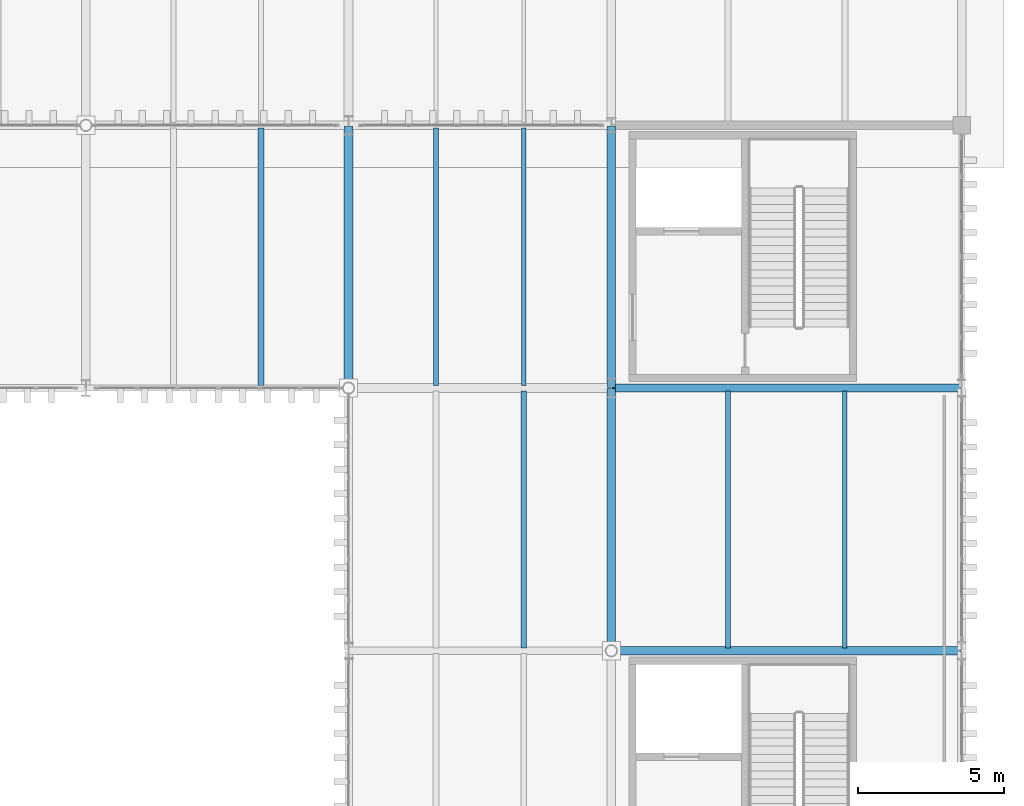
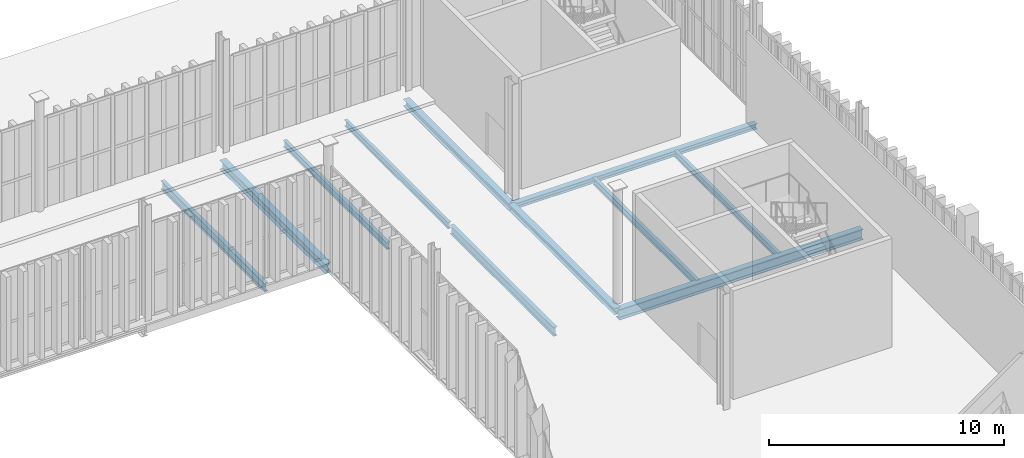
# One storey, part 149 of 237: 11 beams.
"""IFC4 building model written with IfcOpenShell, lengths in metres."""

import ifcopenshell
import ifcopenshell.guid

model = None  # the IFC model being written
_history = None  # IfcOwnerHistory: only IFC2X3 demands one
_inside = {}  # id of a spatial element -> (the spatial element, [elements in it])
_under = {}  # id of a project, library or spatial element -> (it, [spatial elements below it])
_declared = {}  # id of a project -> (the project, [libraries it declares])
_typed = {}  # id of a type object -> (the type object, [elements of that type])
_made_of = {}  # id of a material, layer set ... -> (it, [elements and type objects made of it])


def new_model(schema):
    """Start an empty IFC model of exactly this schema.

    Asked for "IFC4X3", IfcOpenShell would pick the latest addendum, in which some entities
    have other attributes; the version numbers below select the first issue.
    IFC2X3 requires an IfcOwnerHistory on every rooted entity: one is made here for all.
    """
    global model, _history
    if schema == "IFC4X3":
        model = ifcopenshell.file(schema_version=(4, 3, 0, 0))
    else:
        model = ifcopenshell.file(schema=schema)
    _inside.clear()
    _under.clear()
    _declared.clear()
    _typed.clear()
    _made_of.clear()
    _history = None
    if model.schema == "IFC2X3":
        org = make("IfcOrganization", Name="unknown")
        user = make(
            "IfcPersonAndOrganization",
            ThePerson=make("IfcPerson", FamilyName="unknown"),
            TheOrganization=org,
        )
        app = make(
            "IfcApplication",
            ApplicationDeveloper=org,
            Version="unknown",
            ApplicationFullName="unknown",
            ApplicationIdentifier="unknown",
        )
        _history = make(
            "IfcOwnerHistory",
            OwningUser=user,
            OwningApplication=app,
            ChangeAction="ADDED",
            CreationDate=0,
        )
    return model


def make(cls, **values):
    """One entity of the class cls with the attributes given. An attribute that is None is left unset."""
    return model.create_entity(
        cls, **{name: value for name, value in values.items() if value is not None}
    )


def rooted(cls, **values):
    """An entity with a GlobalId (a new one), such as an element, a storey or a relation."""
    return make(cls, GlobalId=ifcopenshell.guid.new(), OwnerHistory=_history, **values)


def si_unit(unit_type, name, prefix=None):
    """IfcSIUnit, for example si_unit("LENGTHUNIT", "METRE", prefix="MILLI")."""
    return make("IfcSIUnit", UnitType=unit_type, Prefix=prefix, Name=name)


def assignment(units):
    """IfcUnitAssignment: the units of a project."""
    return None if units is None else make("IfcUnitAssignment", Units=units)


def point(xyz):
    """IfcCartesianPoint."""
    return None if xyz is None else make("IfcCartesianPoint", Coordinates=xyz)


def direction(xyz):
    """IfcDirection."""
    return None if xyz is None else make("IfcDirection", DirectionRatios=xyz)


def frame(location, z_axis=None, x_axis=None):
    """IfcAxis2Placement3D, a coordinate frame: its origin and axes. An axis left out is left unset."""
    return make(
        "IfcAxis2Placement3D",
        Location=point(location),
        Axis=direction(z_axis),
        RefDirection=direction(x_axis),
    )


def frame_2d(location, x_axis=None):
    """IfcAxis2Placement2D, a coordinate frame in the plane: its origin and x axis."""
    return make(
        "IfcAxis2Placement2D", Location=point(location), RefDirection=direction(x_axis)
    )


def origin():
    """The frame at (0, 0, 0) with its axes left unset."""
    return frame((0.0, 0.0, 0.0))


def origin_2d():
    """The frame at (0, 0) in the plane with its x axis left unset."""
    return frame_2d((0.0, 0.0))


def place(relative_to, where):
    """IfcLocalPlacement: puts the frame where relative to a parent placement (None: the world)."""
    return make(
        "IfcLocalPlacement", PlacementRelTo=relative_to, RelativePlacement=where
    )


def context(
    kind, dimensions, precision=None, world=None, true_north=None, identifier=None
):
    """IfcGeometricRepresentationContext, for example the 3D "Model" context."""
    return make(
        "IfcGeometricRepresentationContext",
        ContextIdentifier=identifier,
        ContextType=kind,
        CoordinateSpaceDimension=dimensions,
        Precision=precision,
        WorldCoordinateSystem=world,
        TrueNorth=true_north,
    )


def subcontext(parent, identifier, kind, view, scale=None):
    """IfcGeometricRepresentationSubContext, for example "Body" below "Model"."""
    return make(
        "IfcGeometricRepresentationSubContext",
        ContextIdentifier=identifier,
        ContextType=kind,
        ParentContext=parent,
        TargetScale=scale,
        TargetView=view,
    )


def project(units=None, contexts=None):
    """IfcProject with its units and contexts."""
    return rooted(
        "IfcProject",
        Name="project",
        RepresentationContexts=contexts,
        UnitsInContext=assignment(units),
    )


def spatial(cls, under=None, at=None, **own):
    """A site, building, storey or space (cls), placed at a placement, below another one or the project."""
    s = rooted(cls, ObjectPlacement=at, **own)
    if under is not None:
        _under.setdefault(under.id(), (under, []))[1].append(s)
    return s


def profile(cls, at=None, kind="AREA", **sizes):
    """A parametric profile (cls). Its sizes go by their IFC names, for example OverallWidth=200.0."""
    return make(cls, ProfileType=kind, Position=at, **sizes)


def i_section(**sizes):
    """IfcIShapeProfileDef."""
    return profile("IfcIShapeProfileDef", **sizes)


def extrude(swept, where, along, depth):
    """IfcExtrudedAreaSolid: the profile swept, set in the frame where, extruded along a direction by depth."""
    return make(
        "IfcExtrudedAreaSolid",
        SweptArea=swept,
        Position=where,
        ExtrudedDirection=direction(along),
        Depth=depth,
    )


def shape(context_of_items, identifier, shape_type, items):
    """IfcShapeRepresentation: the items that make up one representation, for example the "Body"."""
    return make(
        "IfcShapeRepresentation",
        ContextOfItems=context_of_items,
        RepresentationIdentifier=identifier,
        RepresentationType=shape_type,
        Items=items,
    )


def material(Name=None, Category=None):
    """IfcMaterial."""
    return make("IfcMaterial", Name=Name, Category=Category)


def material_profile(
    of_material, cross_section, Name=None, Category=None, Priority=None
):
    """IfcMaterialProfile: a cross section and its material."""
    return make(
        "IfcMaterialProfile",
        Name=Name,
        Material=of_material,
        Profile=cross_section,
        Priority=Priority,
        Category=Category,
    )


def profile_set(profiles, Name=None, composite=None):
    """IfcMaterialProfileSet."""
    return make(
        "IfcMaterialProfileSet",
        Name=Name,
        MaterialProfiles=profiles,
        CompositeProfile=composite,
    )


def made_of(thing, what):
    """Note that an element or type object is made of a material, layer set ...; save() writes the relation."""
    if what is not None:
        _made_of.setdefault(what.id(), (what, []))[1].append(thing)
    return thing


def type_object(cls, material=None, **own):
    """A type object (cls), such as IfcWallType, which elements share."""
    return made_of(rooted(cls, **own), material)


def element(
    cls,
    number,
    at=None,
    inside=None,
    cuts=None,
    type_object=None,
    material=None,
    context=None,
    identifier="Body",
    shape_type=None,
    held_by="IfcProductDefinitionShape",
    body=None,
    shapes=None,
    **own,
):
    """One element of the class cls, such as IfcWall. Its Tag is "e" and its number.

    at: its placement. inside: the storey or other place that contains it. cuts: it is an
    opening in that element (IfcRelVoidsElement). A single representation is given by context,
    identifier, shape_type and body (its items); several are given by shapes. held_by: the class
    of the entity that holds the representations. save() writes the other relations.
    """
    e = rooted(cls, Tag="e%d" % number, ObjectPlacement=at, **own)
    if body is not None:
        shapes = [shape(context, identifier, shape_type, body)]
    if shapes is not None:
        e.Representation = make(held_by, Representations=shapes)
    if inside is not None:
        _inside.setdefault(inside.id(), (inside, []))[1].append(e)
    if cuts is not None:
        rooted(
            "IfcRelVoidsElement", RelatingBuildingElement=cuts, RelatedOpeningElement=e
        )
    if type_object is not None:
        _typed.setdefault(type_object.id(), (type_object, []))[1].append(e)
    return made_of(e, material)


def aggregate(whole, parts):
    """IfcRelAggregates: a whole, such as a stair, and the parts it consists of."""
    return rooted("IfcRelAggregates", RelatingObject=whole, RelatedObjects=parts)


def save(model, path):
    """Write the relations noted so far, then the file.

    IfcRelAggregates (storeys below a building ...), IfcRelContainedInSpatialStructure (elements
    in a storey), IfcRelDefinesByType, IfcRelAssociatesMaterial and IfcRelDeclares: one each for
    every whole, place, type object, material and project.
    """
    for whole, parts in _under.values():
        aggregate(whole, parts)
    for where, things in _inside.values():
        rooted(
            "IfcRelContainedInSpatialStructure",
            RelatedElements=things,
            RelatingStructure=where,
        )
    for kind, things in _typed.values():
        rooted("IfcRelDefinesByType", RelatedObjects=things, RelatingType=kind)
    for what, things in _made_of.values():
        rooted("IfcRelAssociatesMaterial", RelatedObjects=things, RelatingMaterial=what)
    for by, libraries in _declared.values():
        rooted("IfcRelDeclares", RelatingContext=by, RelatedDefinitions=libraries)
    model.write(path)


model = new_model("IFC4")

# Units and contexts
model_context = context("Model", 3, precision=1e-05, world=origin(), true_north=direction((0.0, 1.0)))
body_context = subcontext(model_context, "Body", "Model", "MODEL_VIEW")
ifc_project = project(units=[si_unit("LENGTHUNIT", "METRE"), si_unit("AREAUNIT", "SQUARE_METRE"), si_unit("VOLUMEUNIT", "CUBIC_METRE"), si_unit("PLANEANGLEUNIT", "RADIAN"), si_unit("MASSUNIT", "GRAM", prefix="KILO")], contexts=[model_context])

# Site, building, storey
site_placement = place(None, origin())
site = spatial("IfcSite", under=ifc_project, at=site_placement, CompositionType="ELEMENT")
building_placement = place(site_placement, origin())
building = spatial("IfcBuilding", under=site, at=building_placement, Name="Barlavento Convention Centre", CompositionType="ELEMENT")
storey_placement = place(building_placement, frame((0.0, 0.0, 12.0)))
storey = spatial("IfcBuildingStorey", under=building, at=storey_placement, Name="L02", CompositionType="ELEMENT", Elevation=12.0)

# Beams
ifc_material = material(Name="Steel S355", Category="steel")
ifc_material_profile_1 = material_profile(ifc_material, i_section(OverallWidth=0.159912109375, OverallDepth=0.330078125, WebThickness=0.007568359375, FlangeThickness=0.011474609375, FilletRadius=0.01806640625, at=origin_2d()), Name="IPE 330")
ifc_profile_set_1 = profile_set([ifc_material_profile_1], Name="Steel S355")
beam_type_1 = type_object("IfcBeamType", Name="STR-BM-JST-IPE330", PredefinedType="JOIST", material=ifc_profile_set_1)
for number, where, z_axis, x_axis, name in (
    (1, (188.0, 81.094970703125, -0.52490234375), (0.0, 1.0, 0.0), (-1.0, 0.0, 0.0), "L02 composite floor joist SJ06"),
    (2, (177.0, 90.094970703125, -0.530029296875), (0.0, 1.0, 0.0), (-1.0, 0.0, 0.0), "L02 composite floor joist SJ06"),
):
    element("IfcBeam", number, at=place(storey_placement, frame(where, z_axis=z_axis, x_axis=x_axis)), inside=storey, type_object=beam_type_1, Name=name, PredefinedType="JOIST", context=body_context, shape_type="SweptSolid", body=[
        extrude(i_section(OverallWidth=0.159912109375, OverallDepth=0.330078125, WebThickness=0.007568359375, FlangeThickness=0.011474609375, FilletRadius=0.01806640625, at=origin_2d()), origin(), (0.0, 0.0, 1.0), 8.81005859375),
    ])
ifc_material_profile_2 = material_profile(ifc_material, i_section(OverallWidth=0.169921875, OverallDepth=0.360107421875, WebThickness=0.008056640625, FlangeThickness=0.0126953125, FilletRadius=0.01806640625, at=origin_2d()), Name="IPE 360")
ifc_profile_set_2 = profile_set([ifc_material_profile_2], Name="Steel S355")
beam_type_2 = type_object("IfcBeamType", Name="STR-BM-JST-IPE360", PredefinedType="JOIST", material=ifc_profile_set_2)
for number, where, z_axis, x_axis, name in (
    (3, (184.0, 81.094970703125, -0.5400390625), (0.0, 1.0, 0.0), (-1.0, 0.0, 0.0), "L02 composite floor joist SJ05"),
    (4, (174.0, 90.094970703125, -0.544921875), (0.0, 1.0, 0.0), (-1.0, 0.0, 0.0), "L02 composite floor joist SJ05"),
):
    element("IfcBeam", number, at=place(storey_placement, frame(where, z_axis=z_axis, x_axis=x_axis)), inside=storey, type_object=beam_type_2, Name=name, PredefinedType="JOIST", context=body_context, shape_type="SweptSolid", body=[
        extrude(i_section(OverallWidth=0.169921875, OverallDepth=0.360107421875, WebThickness=0.008056640625, FlangeThickness=0.0126953125, FilletRadius=0.01806640625, at=origin_2d()), origin(), (0.0, 0.0, 1.0), 8.81005859375),
    ])
ifc_material_profile_3 = material_profile(ifc_material, i_section(OverallWidth=0.18994140625, OverallDepth=0.449951171875, WebThickness=0.009521484375, FlangeThickness=0.0146484375, FilletRadius=0.02099609375, at=origin_2d()), Name="IPE 450")
ifc_profile_set_3 = profile_set([ifc_material_profile_3], Name="Steel S355")
beam_type_3 = type_object("IfcBeamType", Name="STR-BM-JST-IPE450", PredefinedType="JOIST", material=ifc_profile_set_3)
for number, where, z_axis, x_axis, name in (
    (5, (177.0, 81.094970703125, -0.5849609375), (0.0, 1.0, 0.0), (-1.0, 0.0, 0.0), "L02 composite floor joist SJ03"),
    (6, (168.0, 90.094970703125, -0.590087890625), (0.0, 1.0, 0.0), (-1.0, 0.0, 0.0), "L02 composite floor joist SJ03"),
):
    element("IfcBeam", number, at=place(storey_placement, frame(where, z_axis=z_axis, x_axis=x_axis)), inside=storey, type_object=beam_type_3, Name=name, PredefinedType="JOIST", context=body_context, shape_type="SweptSolid", body=[
        extrude(i_section(OverallWidth=0.18994140625, OverallDepth=0.449951171875, WebThickness=0.009521484375, FlangeThickness=0.0146484375, FilletRadius=0.02099609375, at=origin_2d()), origin(), (0.0, 0.0, 1.0), 8.81005859375),
    ])
ifc_material_profile_4 = material_profile(ifc_material, i_section(OverallWidth=0.300048828125, OverallDepth=0.330078125, WebThickness=0.009521484375, FlangeThickness=0.0166015625, FilletRadius=0.027099609375, at=origin_2d()), Name="HEA 340")
ifc_profile_set_4 = profile_set([ifc_material_profile_4], Name="Steel S355")
beam_type_4 = type_object("IfcBeamType", Name="STR-BM-PRI-HEA340", PredefinedType="BEAM", material=ifc_profile_set_4)
beam_1_placement = place(storey_placement, frame((180.0, 81.02001953125, -0.52490234375), z_axis=(0.0, 1.0, 0.0), x_axis=(-1.0, 0.0, 0.0)))
element("IfcBeam", 7, at=beam_1_placement, inside=storey, type_object=beam_type_4, Name="L02 grid girder BG24", PredefinedType="BEAM", context=body_context, shape_type="SweptSolid", body=[
    extrude(i_section(OverallWidth=0.300048828125, OverallDepth=0.330078125, WebThickness=0.009521484375, FlangeThickness=0.0166015625, FilletRadius=0.027099609375, at=origin_2d()), origin(), (0.0, 0.0, 1.0), 8.9599609375),
])
ifc_material_profile_5 = material_profile(ifc_material, i_section(OverallWidth=0.300048828125, OverallDepth=0.35009765625, WebThickness=0.010009765625, FlangeThickness=0.017578125, FilletRadius=0.027099609375, at=origin_2d()), Name="HEA 360")
ifc_profile_set_5 = profile_set([ifc_material_profile_5], Name="Steel S355")
beam_type_5 = type_object("IfcBeamType", Name="STR-BM-PRI-HEA360", PredefinedType="BEAM", material=ifc_profile_set_5)
beam_2_placement = place(storey_placement, frame((180.0, 90.02001953125, -0.5400390625), z_axis=(0.0, 1.0, 0.0), x_axis=(-1.0, 0.0, 0.0)))
element("IfcBeam", 8, at=beam_2_placement, inside=storey, type_object=beam_type_5, Name="L02 grid girder BG23", PredefinedType="BEAM", context=body_context, shape_type="SweptSolid", body=[
    extrude(i_section(OverallWidth=0.300048828125, OverallDepth=0.35009765625, WebThickness=0.010009765625, FlangeThickness=0.017578125, FilletRadius=0.027099609375, at=origin_2d()), origin(), (0.0, 0.0, 1.0), 8.9599609375),
])
ifc_material_profile_6 = material_profile(ifc_material, i_section(OverallWidth=0.300048828125, OverallDepth=0.489990234375, WebThickness=0.011962890625, FlangeThickness=0.02294921875, FilletRadius=0.027099609375, at=origin_2d()), Name="HEA 500")
ifc_profile_set_6 = profile_set([ifc_material_profile_6], Name="Steel S355")
beam_type_6 = type_object("IfcBeamType", Name="STR-BM-PRI-HEA500", PredefinedType="BEAM", material=ifc_profile_set_6)
beam_3_placement = place(storey_placement, frame((171.0, 90.02001953125, -0.610107421875), z_axis=(0.0, 1.0, 0.0), x_axis=(-1.0, 0.0, 0.0)))
element("IfcBeam", 9, at=beam_3_placement, inside=storey, type_object=beam_type_6, Name="L02 grid girder BG20", PredefinedType="BEAM", context=body_context, shape_type="SweptSolid", body=[
    extrude(i_section(OverallWidth=0.300048828125, OverallDepth=0.489990234375, WebThickness=0.011962890625, FlangeThickness=0.02294921875, FilletRadius=0.027099609375, at=origin_2d()), origin(), (0.0, 0.0, 1.0), 8.9599609375),
])
ifc_material_profile_7 = material_profile(ifc_material, i_section(OverallWidth=0.280029296875, OverallDepth=0.280029296875, WebThickness=0.010498046875, FlangeThickness=0.01806640625, FilletRadius=0.02392578125, at=origin_2d()), Name="HEB 280")
ifc_profile_set_7 = profile_set([ifc_material_profile_7], Name="Steel S355")
beam_type_7 = type_object("IfcBeamType", Name="STR-BM-PRI-HEB280", PredefinedType="BEAM", material=ifc_profile_set_7)
beam_4_placement = place(storey_placement, frame((180.02001953125, 90.0, -0.5), z_axis=(1.0, 0.0, 0.0), x_axis=(0.0, 1.0, 0.0)))
element("IfcBeam", 10, at=beam_4_placement, inside=storey, type_object=beam_type_7, Name="L02 primary girder BG15", PredefinedType="BEAM", context=body_context, shape_type="SweptSolid", body=[
    extrude(i_section(OverallWidth=0.280029296875, OverallDepth=0.280029296875, WebThickness=0.010498046875, FlangeThickness=0.01806640625, FilletRadius=0.02392578125, at=origin_2d()), origin(), (0.0, 0.0, 1.0), 11.9599609375),
])
ifc_material_profile_8 = material_profile(ifc_material, i_section(OverallWidth=0.300048828125, OverallDepth=0.550048828125, WebThickness=0.014892578125, FlangeThickness=0.029052734375, FilletRadius=0.027099609375, at=origin_2d()), Name="HEB 550")
ifc_profile_set_8 = profile_set([ifc_material_profile_8], Name="Steel S355")
beam_type_8 = type_object("IfcBeamType", Name="STR-BM-PRI-HEB550", PredefinedType="BEAM", material=ifc_profile_set_8)
beam_5_placement = place(storey_placement, frame((180.02001953125, 81.0, -0.635009765625), z_axis=(1.0, 0.0, 0.0), x_axis=(0.0, 1.0, 0.0)))
element("IfcBeam", 11, at=beam_5_placement, inside=storey, type_object=beam_type_8, Name="L02 primary girder BG08", PredefinedType="BEAM", context=body_context, shape_type="SweptSolid", body=[
    extrude(i_section(OverallWidth=0.300048828125, OverallDepth=0.550048828125, WebThickness=0.014892578125, FlangeThickness=0.029052734375, FilletRadius=0.027099609375, at=origin_2d()), origin(), (0.0, 0.0, 1.0), 11.9599609375),
])

save(model, "model.ifc")
